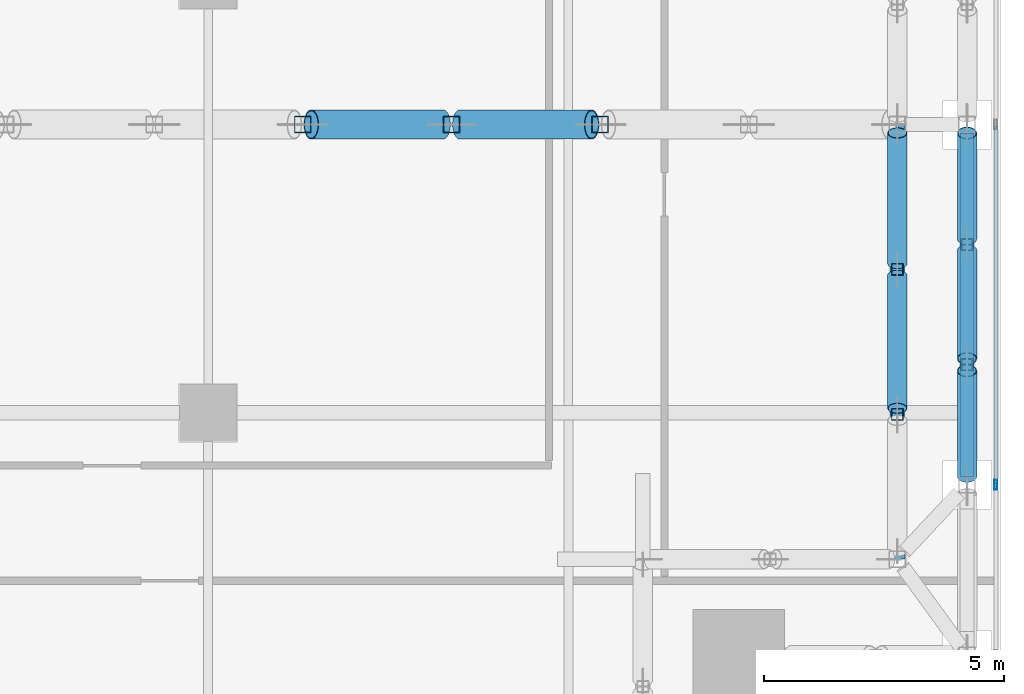
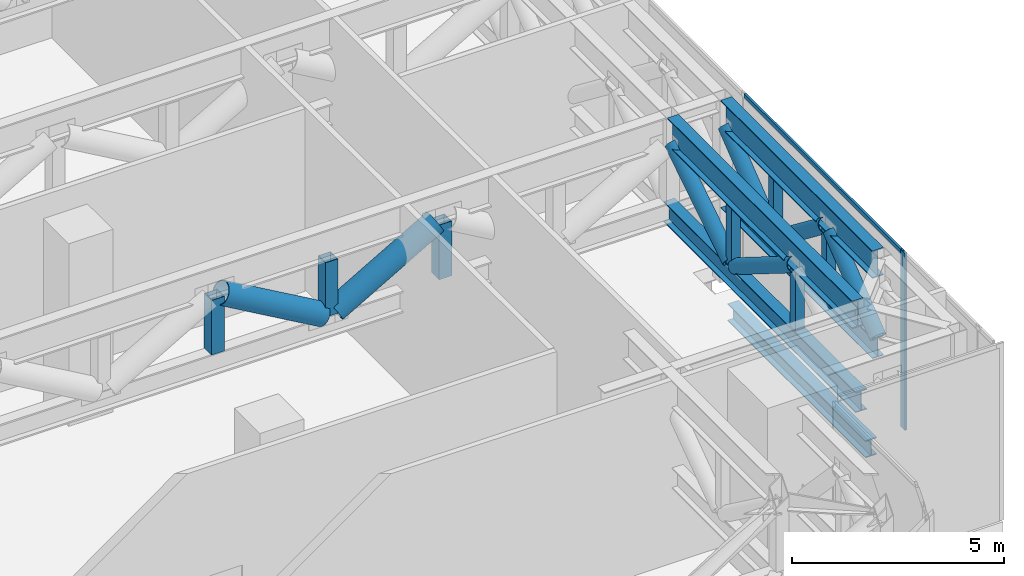
# One storey, part 12 of 36: 20 members, 1 beam, 1 element without a shape of its own.
"""IFC4 building model written with IfcOpenShell, lengths in metres."""

from ifc_helpers import new_model, si_unit, direction, frame, origin, origin_2d, place, context, subcontext, project, spatial, hollow_rectangle, hollow_circle, i_section, extrude, source, transform, mapped, material, material_profile, profile_set, type_object, element, aggregate, save


model = new_model("IFC4")

# Units and contexts
model_context = context("Model", 3, precision=1e-05, world=origin(), true_north=direction((0.0, 1.0)))
body_context = subcontext(model_context, "Body", "Model", "MODEL_VIEW")
ifc_project = project(units=[si_unit("LENGTHUNIT", "METRE"), si_unit("AREAUNIT", "SQUARE_METRE"), si_unit("VOLUMEUNIT", "CUBIC_METRE"), si_unit("PLANEANGLEUNIT", "RADIAN"), si_unit("MASSUNIT", "GRAM", prefix="KILO")], contexts=[model_context])

# Site, building, storey
site_placement = place(None, origin())
site = spatial("IfcSite", under=ifc_project, at=site_placement, CompositionType="ELEMENT")
building_placement = place(site_placement, origin())
building = spatial("IfcBuilding", under=site, at=building_placement, Name="Khomas Fold Tower", CompositionType="ELEMENT")
storey_placement = place(building_placement, frame((0.0, 0.0, 216.699951171875)))
storey = spatial("IfcBuildingStorey", under=building, at=storey_placement, Name="L48", CompositionType="ELEMENT", Elevation=216.699951171875)

# Beam
ifc_material_1 = material(Name="Steel S355", Category="steel")
ifc_material_profile_1 = material_profile(ifc_material_1, i_section(OverallWidth=0.300048828125, OverallDepth=0.5, WebThickness=0.014404296875, FlangeThickness=0.028076171875, at=origin_2d()), Name="HE 500 B")
ifc_profile_set_1 = profile_set([ifc_material_profile_1], Name="Steel S355")
beam_type = type_object("IfcBeamType", Name="HE 500 B spandrel SB3", PredefinedType="SPANDREL", material=ifc_profile_set_1)
shared_shape_1 = source(origin(), body_context, "Body", "SweptSolid", [
    extrude(i_section(OverallWidth=0.300048828125, OverallDepth=0.5, WebThickness=0.014404296875, FlangeThickness=0.028076171875, at=origin_2d()), origin(), (0.0, 0.0, 1.0), 6.5),
])
beam_placement = place(storey_placement, frame((50.300048828125, 12.5, -0.64990234375), z_axis=(0.0, 1.0, 0.0), x_axis=(-1.0, 0.0, 0.0)))
element("IfcBeam", 1, at=beam_placement, inside=storey, type_object=beam_type, Name="SB3", PredefinedType="SPANDREL", context=body_context, shape_type="MappedRepresentation", body=[
    mapped(shared_shape_1, transform((0.0, 0.0, 0.0))),
])

# Members
ifc_material_2 = material(Name="Steel S355", Category="steel")
ifc_material_profile_2 = material_profile(ifc_material_2, i_section(OverallWidth=0.300048828125, OverallDepth=0.7900390625, WebThickness=0.014892578125, FlangeThickness=0.028076171875, at=origin_2d()), Name="HE 800 A")
ifc_profile_set_2 = profile_set([ifc_material_profile_2], Name="Steel S355")
member_type_1 = type_object("IfcMemberType", Name="BELT TRUSS 3 TOP CHORD HE 800 A", PredefinedType="CHORD", material=ifc_profile_set_2)
shared_shape_2 = source(origin(), body_context, "Body", "SweptSolid", [
    extrude(i_section(OverallWidth=0.300048828125, OverallDepth=0.7900390625, WebThickness=0.014892578125, FlangeThickness=0.028076171875, at=origin_2d()), origin(), (0.0, 0.0, 1.0), 7.14990234375),
])
member_1_placement = place(storey_placement, frame((50.300048828125, 12.175048828125, 4.85498046875), z_axis=(0.0, 1.0, 0.0), x_axis=(-1.0, 0.0, 0.0)))
element("IfcMember", 2, at=member_1_placement, inside=storey, type_object=member_type_1, Name="BT3-CT", PredefinedType="CHORD", context=body_context, shape_type="MappedRepresentation", body=[
    mapped(shared_shape_2, transform((0.0, 0.0, 0.0))),
])
ifc_material_3 = material(Name="Steel S355", Category="steel")
ifc_material_profile_3 = material_profile(ifc_material_3, i_section(OverallWidth=0.300048828125, OverallDepth=0.590087890625, WebThickness=0.012939453125, FlangeThickness=0.02490234375, at=origin_2d()), Name="HE 600 A")
ifc_profile_set_3 = profile_set([ifc_material_profile_3], Name="Steel S355")
member_type_2 = type_object("IfcMemberType", Name="BELT TRUSS 3 BOTTOM CHORD HE 600 A", PredefinedType="CHORD", material=ifc_profile_set_3)
shared_shape_3 = source(origin(), body_context, "Body", "SweptSolid", [
    extrude(i_section(OverallWidth=0.300048828125, OverallDepth=0.590087890625, WebThickness=0.012939453125, FlangeThickness=0.02490234375, at=origin_2d()), origin(), (0.0, 0.0, 1.0), 7.14990234375),
])
member_2_placement = place(storey_placement, frame((50.300048828125, 12.175048828125, 2.445068359375), z_axis=(0.0, 1.0, 0.0), x_axis=(-1.0, 0.0, 0.0)))
element("IfcMember", 3, at=member_2_placement, inside=storey, type_object=member_type_2, Name="BT3-CB", PredefinedType="CHORD", context=body_context, shape_type="MappedRepresentation", body=[
    mapped(shared_shape_3, transform((0.0, 0.0, 0.0))),
])
ifc_material_4 = material(Name="Steel S355", Category="steel")
ifc_material_profile_4 = material_profile(ifc_material_4, hollow_circle(Radius=0.203125, WallThickness=0.012451171875, at=origin_2d()), Name="CHS 406.4x12.5")
ifc_profile_set_4 = profile_set([ifc_material_profile_4], Name="Steel S355")
member_type_3 = type_object("IfcMemberType", Name="BELT TRUSS 3 DIAGONAL CHS 406.4x12.5", PredefinedType="BRACE", material=ifc_profile_set_4)
shared_shape_4 = source(origin(), body_context, "Body", "SweptSolid", [
    extrude(hollow_circle(Radius=0.203125, WallThickness=0.012451171875, at=origin_2d()), origin(), (0.0, 0.0, 1.0), 2.798583984375),
])
for number, where, z_axis, x_axis, name in (
    (4, (50.300048828125, 12.175048828125, 2.735107421875), (0.0, 0.786067028411, 0.618141267709), (-1.0, 0.0, 0.0), "BT3-D"),
    (5, (50.300048828125, 17.125, 2.735107421875), (0.0, 0.786067028411, 0.618141267709), (-1.0, 0.0, 0.0), "BT3-D"),
):
    element("IfcMember", number, at=place(storey_placement, frame(where, z_axis=z_axis, x_axis=x_axis)), inside=storey, type_object=member_type_3, Name=name, PredefinedType="BRACE", context=body_context, shape_type="MappedRepresentation", body=[
        mapped(shared_shape_4, transform((0.0, 0.0, 0.0))),
    ])
shared_shape_5 = source(origin(), body_context, "Body", "SweptSolid", [
    extrude(hollow_circle(Radius=0.203125, WallThickness=0.012451171875, at=origin_2d()), origin(), (0.0, 0.0, 1.0), 2.838134765625),
])
member_3_placement = place(storey_placement, frame((50.300048828125, 14.625, 4.465087890625), z_axis=(0.0, 0.792758275848, -0.609536148292), x_axis=(-1.0, 0.0, 0.0)))
element("IfcMember", 6, at=member_3_placement, inside=storey, type_object=member_type_3, Name="BT3-D", PredefinedType="BRACE", context=body_context, shape_type="MappedRepresentation", body=[
    mapped(shared_shape_5, transform((0.0, 0.0, 0.0))),
])
ifc_material_5 = material(Name="Steel S355", Category="steel")
ifc_material_profile_5 = material_profile(ifc_material_5, hollow_rectangle(XDim=0.25, YDim=0.25, WallThickness=0.01611328125, at=origin_2d()), Name="SHS 250x250x16")
ifc_profile_set_5 = profile_set([ifc_material_profile_5], Name="Steel S355")
member_type_4 = type_object("IfcMemberType", Name="BELT TRUSS 3 MID POST SHS 250x250x16", PredefinedType="POST", material=ifc_profile_set_5)
shared_shape_6 = source(origin(), body_context, "Body", "SweptSolid", [
    extrude(hollow_rectangle(XDim=0.25, YDim=0.25, WallThickness=0.01611328125, at=origin_2d()), origin(), (0.0, 0.0, 1.0), 1.719970703125),
])
for number, where, z_axis, x_axis, name in (
    (7, (50.300048828125, 14.5, 2.739990234375), (0.0, 0.0, 1.0), (1.0, 0.0, 0.0), "BT3-M"),
    (8, (50.300048828125, 17.0, 2.739990234375), (0.0, 0.0, 1.0), (1.0, 0.0, 0.0), "BT3-M"),
    (9, (48.85009765625, 13.466552734375, 2.739990234375), (0.0, 0.0, 1.0), (1.0, 0.0, 0.0), "BT3-M"),
    (10, (48.85009765625, 16.4833984375, 2.739990234375), (0.0, 0.0, 1.0), (1.0, 0.0, 0.0), "BT3-M"),
):
    element("IfcMember", number, at=place(storey_placement, frame(where, z_axis=z_axis, x_axis=x_axis)), inside=storey, type_object=member_type_4, Name=name, PredefinedType="POST", context=body_context, shape_type="MappedRepresentation", body=[
        mapped(shared_shape_6, transform((0.0, 0.0, 0.0))),
    ])
ifc_material_6 = material(Name="Steel S355", Category="steel")
ifc_material_profile_6 = material_profile(ifc_material_6, i_section(OverallWidth=0.300048828125, OverallDepth=0.7900390625, WebThickness=0.014892578125, FlangeThickness=0.028076171875, at=origin_2d()), Name="HE 800 A")
ifc_profile_set_6 = profile_set([ifc_material_profile_6], Name="Steel S355")
member_type_5 = type_object("IfcMemberType", Name="BELT TRUSS 3 TOP CHORD LONG HE 800 A", PredefinedType="CHORD", material=ifc_profile_set_6)
shared_shape_7 = source(origin(), body_context, "Body", "SweptSolid", [
    extrude(i_section(OverallWidth=0.300048828125, OverallDepth=0.7900390625, WebThickness=0.014892578125, FlangeThickness=0.028076171875, at=origin_2d()), origin(), (0.0, 0.0, 1.0), 8.699951171875),
])
member_4_placement = place(storey_placement, frame((48.85009765625, 10.625, 4.85498046875), z_axis=(0.0, 1.0, 0.0), x_axis=(-1.0, 0.0, 0.0)))
element("IfcMember", 11, at=member_4_placement, inside=storey, type_object=member_type_5, Name="BT3-CTL", PredefinedType="CHORD", context=body_context, shape_type="MappedRepresentation", body=[
    mapped(shared_shape_7, transform((0.0, 0.0, 0.0))),
])
shared_shape_8 = source(origin(), body_context, "Body", "SweptSolid", [
    extrude(hollow_circle(Radius=0.203125, WallThickness=0.012451171875, at=origin_2d()), origin(), (0.0, 0.0, 1.0), 3.220703125),
])
member_5_placement = place(storey_placement, frame((48.85009765625, 16.6083984375, 2.735107421875), z_axis=(0.0, 0.843483522339, 0.537155049815), x_axis=(-1.0, 0.0, 0.0)))
element("IfcMember", 12, at=member_5_placement, inside=storey, type_object=member_type_3, Name="BT3-D", PredefinedType="BRACE", context=body_context, shape_type="MappedRepresentation", body=[
    mapped(shared_shape_8, transform((0.0, 0.0, 0.0))),
])
shared_shape_9 = source(origin(), body_context, "Body", "SweptSolid", [
    extrude(hollow_circle(Radius=0.203125, WallThickness=0.012451171875, at=origin_2d()), origin(), (0.0, 0.0, 1.0), 3.26318359375),
])
member_6_placement = place(storey_placement, frame((48.85009765625, 13.591552734375, 4.465087890625), z_axis=(0.0, 0.847901616183, -0.53015360913), x_axis=(-1.0, 0.0, 0.0)))
element("IfcMember", 13, at=member_6_placement, inside=storey, type_object=member_type_3, Name="BT3-D", PredefinedType="BRACE", context=body_context, shape_type="MappedRepresentation", body=[
    mapped(shared_shape_9, transform((0.0, 0.0, 0.0))),
])
ifc_material_7 = material(Name="Steel S355", Category="steel")
ifc_material_profile_7 = material_profile(ifc_material_7, i_section(OverallWidth=0.300048828125, OverallDepth=0.590087890625, WebThickness=0.012939453125, FlangeThickness=0.02490234375, at=origin_2d()), Name="HE 600 A")
ifc_profile_set_7 = profile_set([ifc_material_profile_7], Name="Steel S355")
member_type_6 = type_object("IfcMemberType", Name="BELT TRUSS 3 BOTTOM CHORD LONG HE 600 A", PredefinedType="CHORD", material=ifc_profile_set_7)
shared_shape_10 = source(origin(), body_context, "Body", "SweptSolid", [
    extrude(i_section(OverallWidth=0.300048828125, OverallDepth=0.590087890625, WebThickness=0.012939453125, FlangeThickness=0.02490234375, at=origin_2d()), origin(), (0.0, 0.0, 1.0), 9.050048828125),
])
member_7_placement = place(storey_placement, frame((48.85009765625, 10.449951171875, 2.445068359375), z_axis=(0.0, 1.0, 0.0), x_axis=(-1.0, 0.0, 0.0)))
element("IfcMember", 14, at=member_7_placement, inside=storey, type_object=member_type_6, Name="BT3-CBL", PredefinedType="CHORD", context=body_context, shape_type="MappedRepresentation", body=[
    mapped(shared_shape_10, transform((0.0, 0.0, 0.0))),
])
ifc_material_8 = material(Name="Steel S355", Category="steel")
ifc_material_profile_8 = material_profile(ifc_material_8, hollow_circle(Radius=0.304931640625, WallThickness=0.02001953125, at=origin_2d()), Name="CHS 610x20")
ifc_profile_set_8 = profile_set([ifc_material_profile_8], Name="Steel S355")
member_type_7 = type_object("IfcMemberType", Name="OUTRIGGER 2 DIAGONAL CHS 610x20", PredefinedType="BRACE", material=ifc_profile_set_8)
shared_shape_11 = source(origin(), body_context, "Body", "SweptSolid", [
    extrude(hollow_circle(Radius=0.304931640625, WallThickness=0.02001953125, at=origin_2d()), origin(), (0.0, 0.0, 1.0), 3.166748046875),
])
for number, where, z_axis, x_axis, name in (
    (15, (36.647216796875, 19.5, 4.344970703125), (0.866658823568, 0.0, -0.498901276338), (0.0, 1.0, 0.0), "OR2-D"),
    (16, (39.74169921875, 19.5, 2.76513671875), (0.866658823568, 0.0, 0.498901276338), (0.0, 1.0, 0.0), "OR2-D"),
):
    element("IfcMember", number, at=place(storey_placement, frame(where, z_axis=z_axis, x_axis=x_axis)), inside=storey, type_object=member_type_7, Name=name, PredefinedType="BRACE", context=body_context, shape_type="MappedRepresentation", body=[
        mapped(shared_shape_11, transform((0.0, 0.0, 0.0))),
    ])
ifc_material_9 = material(Name="Steel S355", Category="steel")
ifc_material_profile_9 = material_profile(ifc_material_9, hollow_rectangle(XDim=0.35009765625, YDim=0.35009765625, WallThickness=0.01611328125, at=origin_2d()), Name="SHS 350x350x16")
ifc_profile_set_9 = profile_set([ifc_material_profile_9], Name="Steel S355")
member_type_8 = type_object("IfcMemberType", Name="OUTRIGGER 2 MID POST SHS 350x350x16", PredefinedType="POST", material=ifc_profile_set_9)
shared_shape_12 = source(origin(), body_context, "Body", "SweptSolid", [
    extrude(hollow_rectangle(XDim=0.35009765625, YDim=0.35009765625, WallThickness=0.01611328125, at=origin_2d()), origin(), (0.0, 0.0, 1.0), 1.570068359375),
])
for number, where, z_axis, x_axis, name in (
    (17, (36.47216796875, 19.5, 2.77001953125), (0.0, 0.0, 1.0), (1.0, 0.0, 0.0), "OR2-M"),
    (18, (39.566650390625, 19.5, 2.77001953125), (0.0, 0.0, 1.0), (1.0, 0.0, 0.0), "OR2-M"),
    (19, (42.6611328125, 19.5, 2.77001953125), (0.0, 0.0, 1.0), (1.0, 0.0, 0.0), "OR2-M"),
):
    element("IfcMember", number, at=place(storey_placement, frame(where, z_axis=z_axis, x_axis=x_axis)), inside=storey, type_object=member_type_8, Name=name, PredefinedType="POST", context=body_context, shape_type="MappedRepresentation", body=[
        mapped(shared_shape_12, transform((0.0, 0.0, 0.0))),
    ])

# Curtain wall, members
ifc_material_10 = material(Name="Aluminium framed double glazing", Category="aluminium")
curtain_wall_type = type_object("IfcCurtainWallType", Name="SK-Plant louvre wall CW4", PredefinedType="NOTDEFINED", material=ifc_material_10)
curtain_wall_placement = place(storey_placement, origin())
curtain_wall = element("IfcCurtainWall", 20, at=curtain_wall_placement, inside=storey, type_object=curtain_wall_type, Name="CW4 run L48 03-0", PredefinedType="NOTDEFINED")
ifc_material_11 = material(Name="Aluminium", Category="aluminium")
ifc_material_profile_10 = material_profile(ifc_material_11, hollow_rectangle(XDim=0.06005859375, YDim=0.199951171875, WallThickness=0.00390625, at=origin_2d()), Name="SK-Plant louvre wall mullion CW4-M")
ifc_profile_set_10 = profile_set([ifc_material_profile_10], Name="Aluminium")
member_type_9 = type_object("IfcMemberType", Name="SK-Plant louvre wall mullion CW4-M", PredefinedType="MULLION", material=ifc_profile_set_10)
shared_shape_13 = source(origin(), body_context, "Body", "SweptSolid", [
    extrude(hollow_rectangle(XDim=0.06005859375, YDim=0.199951171875, WallThickness=0.00390625, at=origin_2d()), origin(), (0.0, 0.0, 1.0), 5.10009765625),
])
member_8_placement = place(storey_placement, frame((50.89990234375, 12.0, 0.0), z_axis=(0.0, 0.0, 1.0), x_axis=(-1.0, 0.0, 0.0)))
member_8 = element("IfcMember", 21, at=member_8_placement, type_object=member_type_9, Name="CW4 mullion 3", PredefinedType="MULLION", context=body_context, shape_type="MappedRepresentation", body=[
    mapped(shared_shape_13, transform((0.0, 0.0, 0.0))),
])
ifc_material_12 = material(Name="Aluminium", Category="aluminium")
ifc_material_profile_11 = material_profile(ifc_material_12, hollow_rectangle(XDim=0.06005859375, YDim=0.1201171875, WallThickness=0.00390625, at=origin_2d()), Name="SK-Plant louvre wall transom CW4-T")
ifc_profile_set_11 = profile_set([ifc_material_profile_11], Name="Aluminium")
member_type_10 = type_object("IfcMemberType", Name="SK-Plant louvre wall transom CW4-T", PredefinedType="USERDEFINED", material=ifc_profile_set_11)
shared_shape_14 = source(origin(), body_context, "Body", "SweptSolid", [
    extrude(hollow_rectangle(XDim=0.06005859375, YDim=0.1201171875, WallThickness=0.00390625, at=origin_2d()), origin(), (0.0, 0.0, 1.0), 7.43994140625),
])
member_9_placement = place(storey_placement, frame((50.89990234375, 12.030029296875, 5.0400390625), z_axis=(0.0, 1.0, 0.0), x_axis=(-1.0, 0.0, 0.0)))
member_9 = element("IfcMember", 22, at=member_9_placement, type_object=member_type_10, Name="CW4 transom 3", ObjectType="TRANSOM", PredefinedType="USERDEFINED", context=body_context, shape_type="MappedRepresentation", body=[
    mapped(shared_shape_14, transform((0.0, 0.0, 0.0))),
])
aggregate(curtain_wall, [member_8, member_9])

save(model, "model.ifc")
